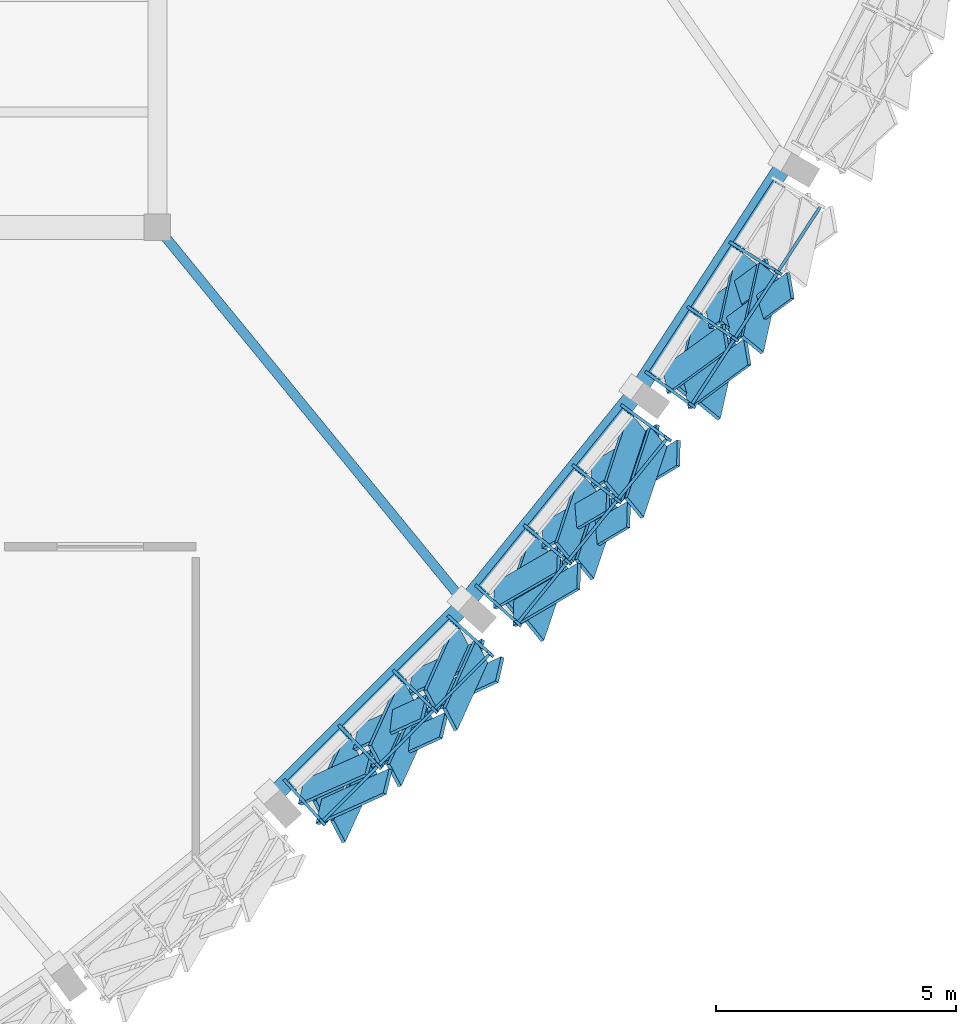
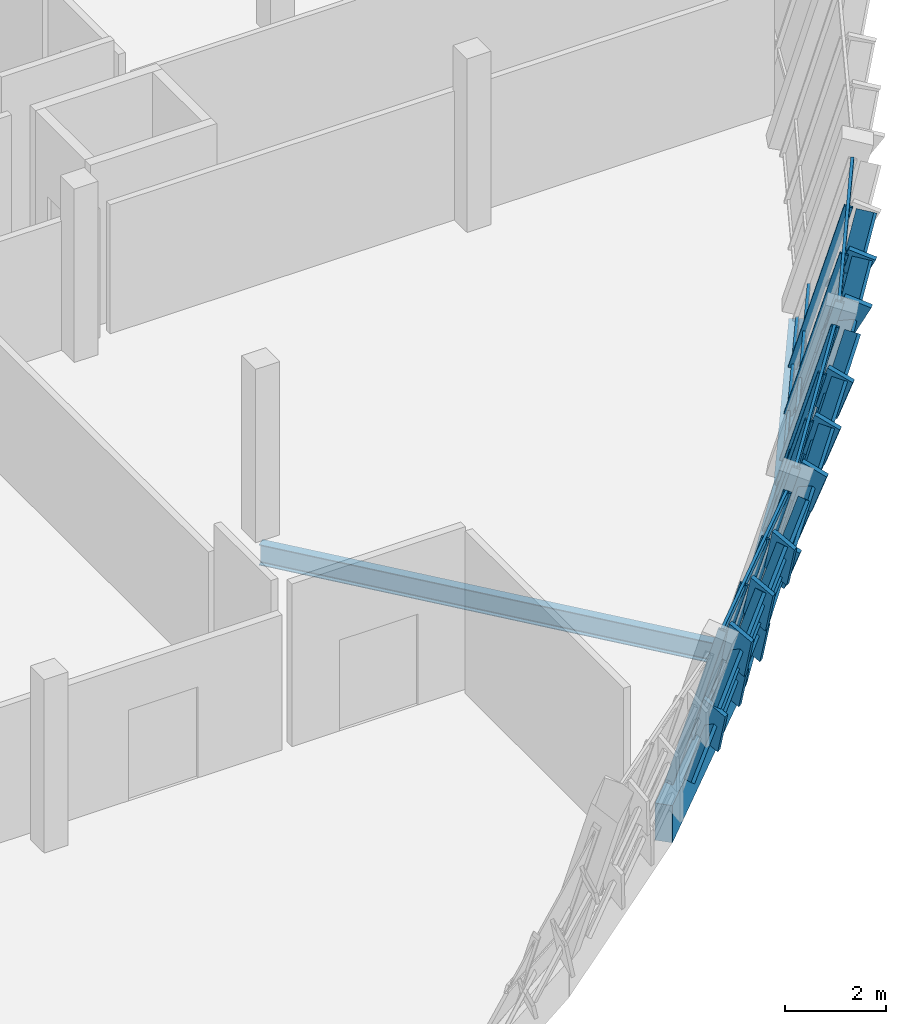
# One storey, part 54 of 94: 52 members, 4 beams, 3 elements without a shape of their own.
"""IFC4 building model written with IfcOpenShell, lengths in metres."""

from ifc_helpers import new_model, si_unit, direction, frame, origin, origin_2d, place, context, subcontext, project, spatial, rectangle, hollow_rectangle, i_section, extrude, material, material_profile, profile_set, type_object, element, aggregate, save


model = new_model("IFC4")

# Units and contexts
model_context = context("Model", 3, precision=1e-05, world=origin(), true_north=direction((0.0, 1.0)))
body_context = subcontext(model_context, "Body", "Model", "MODEL_VIEW")
ifc_project = project(units=[si_unit("LENGTHUNIT", "METRE"), si_unit("AREAUNIT", "SQUARE_METRE"), si_unit("VOLUMEUNIT", "CUBIC_METRE"), si_unit("PLANEANGLEUNIT", "RADIAN"), si_unit("MASSUNIT", "GRAM", prefix="KILO")], contexts=[model_context])

# Site, building, storey
site_placement = place(None, origin())
site = spatial("IfcSite", under=ifc_project, at=site_placement, CompositionType="ELEMENT")
building_placement = place(site_placement, origin())
building = spatial("IfcBuilding", under=site, at=building_placement, Name="Chiffa Square Polytechnic", CompositionType="ELEMENT")
storey_placement = place(building_placement, frame((0.0, 0.0, 18.0)))
storey = spatial("IfcBuildingStorey", under=building, at=storey_placement, Name="L04", CompositionType="ELEMENT", Elevation=18.0)

# Beam
ifc_material_1 = material(Name="Steel S355", Category="steel")
ifc_material_profile_1 = material_profile(ifc_material_1, i_section(OverallWidth=0.199951171875, OverallDepth=0.5, WebThickness=0.01025390625, FlangeThickness=0.01611328125, FilletRadius=0.02099609375, at=origin_2d()), Name="IPE 500")
ifc_profile_set_1 = profile_set([ifc_material_profile_1], Name="Steel S355")
beam_type_1 = type_object("IfcBeamType", Name="BM-STL-IPE500", PredefinedType="BEAM", material=ifc_profile_set_1)
beam_1_placement = place(storey_placement, frame((163.610107421875, 20.965087890625, -0.489990234375), z_axis=(-0.633222030351, 0.773970193404, 0.0), x_axis=(-0.773970193404, -0.633222030351, 0.0)))
element("IfcBeam", 1, at=beam_1_placement, inside=storey, type_object=beam_type_1, Name="Prow radial tie girder BM-V1-RAD-L04-11", PredefinedType="BEAM", context=body_context, shape_type="SweptSolid", body=[
    extrude(i_section(OverallWidth=0.199951171875, OverallDepth=0.5, WebThickness=0.01025390625, FlangeThickness=0.01611328125, FilletRadius=0.02099609375, at=origin_2d()), origin(), (0.0, 0.0, 1.0), 10.123046875),
])

# Curtain wall, members
ifc_material_2 = material(Name="Aluminium EN AW-6060 T66 and glulam shading", Category="wood")
curtain_wall_type_1 = type_object("IfcCurtainWallType", Name="CW-PROW-LEAN-300", PredefinedType="USERDEFINED", material=ifc_material_2)
curtain_wall_1_placement = place(storey_placement, origin())
curtain_wall_1 = element("IfcCurtainWall", 2, at=curtain_wall_1_placement, inside=storey, type_object=curtain_wall_type_1, Name="Outward-leaning diamond-fin prow curtain wall CW-V1-L04-070", ObjectType="CURTAIN WALL", PredefinedType="USERDEFINED")
ifc_material_3 = material(Name="Aluminium EN AW-6060 T66", Category="aluminium")
ifc_material_profile_2 = material_profile(ifc_material_3, hollow_rectangle(XDim=0.06494140625, YDim=0.179931640625, WallThickness=0.00390625, at=origin_2d()), Name="ALU 65x180x4")
ifc_profile_set_2 = profile_set([ifc_material_profile_2], Name="Aluminium EN AW-6060 T66")
member_type_1 = type_object("IfcMemberType", Name="CWM-ALU-75X180", PredefinedType="MULLION", material=ifc_profile_set_2)
member_1_placement = place(storey_placement, frame((159.888916015625, 17.243896484375, 0.0), z_axis=(0.182217162782, -0.202191884487, 0.962244951889), x_axis=(0.742847379704, 0.669460805773, 0.0)))
member_1 = element("IfcMember", 3, at=member_1_placement, type_object=member_type_1, Name="Leaning prow mullion CW-V1-L04-070-M00", PredefinedType="MULLION", context=body_context, shape_type="SweptSolid", body=[
    extrude(hollow_rectangle(XDim=0.06494140625, YDim=0.179931640625, WallThickness=0.00390625, at=origin_2d()), origin(), (0.0, 0.0, 1.0), 4.094482421875),
])
member_2_placement = place(storey_placement, frame((161.028076171875, 18.383056640625, 0.0), z_axis=(0.188852347584, -0.195590685215, 0.96233002378), x_axis=(0.719390123041, 0.694606255997, 0.0)))
member_2 = element("IfcMember", 4, at=member_2_placement, type_object=member_type_1, Name="Leaning prow mullion CW-V1-L04-070-M01", PredefinedType="MULLION", context=body_context, shape_type="SweptSolid", body=[
    extrude(hollow_rectangle(XDim=0.06494140625, YDim=0.179931640625, WallThickness=0.00390625, at=origin_2d()), origin(), (0.0, 0.0, 1.0), 4.09423828125),
])
member_3_placement = place(storey_placement, frame((162.1669921875, 19.52197265625, 0.0), z_axis=(0.195590685215, -0.188852347584, 0.96233002378), x_axis=(0.694606255997, 0.719390123041, 0.0)))
member_3 = element("IfcMember", 5, at=member_3_placement, type_object=member_type_1, Name="Leaning prow mullion CW-V1-L04-070-M02", PredefinedType="MULLION", context=body_context, shape_type="SweptSolid", body=[
    extrude(hollow_rectangle(XDim=0.06494140625, YDim=0.179931640625, WallThickness=0.00390625, at=origin_2d()), origin(), (0.0, 0.0, 1.0), 4.09423828125),
])
member_4_placement = place(storey_placement, frame((163.305908203125, 20.660888671875, 0.0), z_axis=(0.202251268919, -0.182157319148, 0.962243802423), x_axis=(0.669230950529, 0.743054462912, 0.0)))
member_4 = element("IfcMember", 6, at=member_4_placement, type_object=member_type_1, Name="Leaning prow mullion CW-V1-L04-070-M03", PredefinedType="MULLION", context=body_context, shape_type="SweptSolid", body=[
    extrude(hollow_rectangle(XDim=0.06494140625, YDim=0.179931640625, WallThickness=0.00390625, at=origin_2d()), origin(), (0.0, 0.0, 1.0), 4.094482421875),
])

curtain_wall_type_2 = type_object("IfcCurtainWallType", Name="CW-PROW-LEAN-150", PredefinedType="USERDEFINED", material=ifc_material_2)
curtain_wall_2_placement = place(storey_placement, origin())
curtain_wall_2 = element("IfcCurtainWall", 7, at=curtain_wall_2_placement, inside=storey, type_object=curtain_wall_type_2, Name="Outward-leaning diamond-fin prow curtain wall CW-V1-L04-071", ObjectType="CURTAIN WALL", PredefinedType="USERDEFINED")
member_5_placement = place(storey_placement, frame((163.881103515625, 21.299072265625, 0.0), z_axis=(0.202191884487, -0.182217162782, 0.962244951889), x_axis=(0.669460805773, 0.742847379704, 0.0)))
member_5 = element("IfcMember", 8, at=member_5_placement, type_object=member_type_1, Name="Leaning prow mullion CW-V1-L04-071-M00", PredefinedType="MULLION", context=body_context, shape_type="SweptSolid", body=[
    extrude(hollow_rectangle(XDim=0.06494140625, YDim=0.179931640625, WallThickness=0.00390625, at=origin_2d()), origin(), (0.0, 0.0, 1.0), 4.094482421875),
])
member_6_placement = place(storey_placement, frame((164.894287109375, 22.55078125, 0.0), z_axis=(0.208288678382, -0.17483607358, 0.962313968429), x_axis=(0.642919492467, 0.765933760978, 0.0)))
member_6 = element("IfcMember", 9, at=member_6_placement, type_object=member_type_1, Name="Leaning prow mullion CW-V1-L04-071-M01", PredefinedType="MULLION", context=body_context, shape_type="SweptSolid", body=[
    extrude(hollow_rectangle(XDim=0.06494140625, YDim=0.179931640625, WallThickness=0.00390625, at=origin_2d()), origin(), (0.0, 0.0, 1.0), 4.09423828125),
])
member_7_placement = place(storey_placement, frame((165.90771484375, 23.80224609375, 0.0), z_axis=(0.214255052151, -0.167384896017, 0.962328981801), x_axis=(0.615639785846, 0.788027698805, 0.0)))
member_7 = element("IfcMember", 10, at=member_7_placement, type_object=member_type_1, Name="Leaning prow mullion CW-V1-L04-071-M02", PredefinedType="MULLION", context=body_context, shape_type="SweptSolid", body=[
    extrude(hollow_rectangle(XDim=0.06494140625, YDim=0.179931640625, WallThickness=0.00390625, at=origin_2d()), origin(), (0.0, 0.0, 1.0), 4.09423828125),
])
member_8_placement = place(storey_placement, frame((166.9208984375, 25.053955078125, 0.0), z_axis=(0.220312913271, -0.159972813615, 0.962221865866), x_axis=(0.587559531247, 0.809180942213, 0.0)))
member_8 = element("IfcMember", 11, at=member_8_placement, type_object=member_type_1, Name="Leaning prow mullion CW-V1-L04-071-M03", PredefinedType="MULLION", context=body_context, shape_type="SweptSolid", body=[
    extrude(hollow_rectangle(XDim=0.06494140625, YDim=0.179931640625, WallThickness=0.00390625, at=origin_2d()), origin(), (0.0, 0.0, 1.0), 4.0947265625),
])

curtain_wall_3_placement = place(storey_placement, origin())
curtain_wall_3 = element("IfcCurtainWall", 12, at=curtain_wall_3_placement, inside=storey, type_object=curtain_wall_type_1, Name="Outward-leaning diamond-fin prow curtain wall CW-V1-L04-072", ObjectType="CURTAIN WALL", PredefinedType="USERDEFINED")
member_9_placement = place(storey_placement, frame((167.426025390625, 25.7490234375, 0.0), z_axis=(0.220256181595, -0.159974914786, 0.962234504218), x_axis=(0.587663663531, 0.809105319823, 0.0)))
member_9 = element("IfcMember", 13, at=member_9_placement, type_object=member_type_1, Name="Leaning prow mullion CW-V1-L04-072-M00", PredefinedType="MULLION", context=body_context, shape_type="SweptSolid", body=[
    extrude(hollow_rectangle(XDim=0.06494140625, YDim=0.179931640625, WallThickness=0.00390625, at=origin_2d()), origin(), (0.0, 0.0, 1.0), 4.094482421875),
])
member_10_placement = place(storey_placement, frame((168.30322265625, 27.099609375, 0.0), z_axis=(0.225461892253, -0.152057081525, 0.962312620254), x_axis=(0.559145173374, 0.829069764913, 0.0)))
member_10 = element("IfcMember", 14, at=member_10_placement, type_object=member_type_1, Name="Leaning prow mullion CW-V1-L04-072-M01", PredefinedType="MULLION", context=body_context, shape_type="SweptSolid", body=[
    extrude(hollow_rectangle(XDim=0.06494140625, YDim=0.179931640625, WallThickness=0.00390625, at=origin_2d()), origin(), (0.0, 0.0, 1.0), 4.09423828125),
])
member_11_placement = place(storey_placement, frame((169.1806640625, 28.4501953125, 0.0), z_axis=(0.230591273795, -0.144126999938, 0.962317552754), x_axis=(0.530018651124, 0.847985984236, 0.0)))
member_11 = element("IfcMember", 15, at=member_11_placement, type_object=member_type_1, Name="Leaning prow mullion CW-V1-L04-072-M02", PredefinedType="MULLION", context=body_context, shape_type="SweptSolid", body=[
    extrude(hollow_rectangle(XDim=0.06494140625, YDim=0.179931640625, WallThickness=0.00390625, at=origin_2d()), origin(), (0.0, 0.0, 1.0), 4.09423828125),
])

# Member
ifc_material_4 = material(Name="Glulam GL28h", Category="wood")
ifc_material_profile_3 = material_profile(ifc_material_4, rectangle(XDim=0.080078125, YDim=0.580078125, at=origin_2d()), Name="GL28h 80x580")
ifc_profile_set_3 = profile_set([ifc_material_profile_3], Name="Glulam GL28h")
member_type_2 = type_object("IfcMemberType", Name="CWM-GL-80X580", PredefinedType="MULLION", material=ifc_profile_set_3)
member_12_placement = place(storey_placement, frame((160.22412109375, 17.032958984375, 0.0400390625), z_axis=(0.565976705526, 0.252560031373, 0.784782644657), x_axis=(-0.794908987714, 0.419596950571, 0.438244338609)))
member_12 = element("IfcMember", 16, at=member_12_placement, type_object=member_type_2, Name="Diamond glulam fin CW-V1-L04-070-DF01A", PredefinedType="MULLION", context=body_context, shape_type="SweptSolid", body=[
    extrude(rectangle(XDim=0.080078125, YDim=0.580078125, at=origin_2d()), origin(), (0.0, 0.0, 1.0), 2.459228515625),
])

member_13_placement = place(storey_placement, frame((161.238037109375, 18.047119140625, 0.0400390625), z_axis=(-0.260729679383, -0.571932689152, 0.777761553028), x_axis=(0.871530147602, 0.207103159091, 0.444458640726)))
member_13 = element("IfcMember", 17, at=member_13_placement, type_object=member_type_2, Name="Diamond glulam fin CW-V1-L04-070-DF01B", PredefinedType="MULLION", context=body_context, shape_type="SweptSolid", body=[
    extrude(rectangle(XDim=0.080078125, YDim=0.580078125, at=origin_2d()), origin(), (0.0, 0.0, 1.0), 2.4814453125),
])

member_14_placement = place(storey_placement, frame((160.591064453125, 16.6279296875, 1.969970703125), z_axis=(0.568300661799, 0.256457294821, 0.781833750699), x_axis=(-0.794759206928, 0.417120857629, 0.440871855684)))
member_14 = element("IfcMember", 18, at=member_14_placement, type_object=member_type_2, Name="Diamond glulam fin CW-V1-L04-070-DF02A", PredefinedType="MULLION", context=body_context, shape_type="SweptSolid", body=[
    extrude(rectangle(XDim=0.080078125, YDim=0.580078125, at=origin_2d()), origin(), (0.0, 0.0, 1.0), 2.468505859375),
])

member_15_placement = place(storey_placement, frame((161.615966796875, 17.654052734375, 1.969970703125), z_axis=(-0.264484996981, -0.574439070878, 0.774640200494), x_axis=(0.87137946497, 0.201820584032, 0.447175893681)))
member_15 = element("IfcMember", 19, at=member_15_placement, type_object=member_type_2, Name="Diamond glulam fin CW-V1-L04-070-DF02B", PredefinedType="MULLION", context=body_context, shape_type="SweptSolid", body=[
    extrude(rectangle(XDim=0.080078125, YDim=0.580078125, at=origin_2d()), origin(), (0.0, 0.0, 1.0), 2.491455078125),
])

member_16_placement = place(storey_placement, frame((161.364013671875, 18.172119140625, 0.0400390625), z_axis=(0.568801838509, 0.256973897502, 0.78129948452), x_axis=(-0.794591773976, 0.416939270141, 0.441345168484)))
member_16 = element("IfcMember", 20, at=member_16_placement, type_object=member_type_2, Name="Diamond glulam fin CW-V1-L04-070-DF03A", PredefinedType="MULLION", context=body_context, shape_type="SweptSolid", body=[
    extrude(rectangle(XDim=0.080078125, YDim=0.580078125, at=origin_2d()), origin(), (0.0, 0.0, 1.0), 2.47021484375),
])

member_17_placement = place(storey_placement, frame((162.3779296875, 19.18603515625, 0.0400390625), z_axis=(-0.257066203399, -0.568787389681, 0.78127963778), x_axis=(0.871876938206, 0.212201651336, 0.441362734941)))
member_17 = element("IfcMember", 21, at=member_17_placement, type_object=member_type_2, Name="Diamond glulam fin CW-V1-L04-070-DF03B", PredefinedType="MULLION", context=body_context, shape_type="SweptSolid", body=[
    extrude(rectangle(XDim=0.080078125, YDim=0.580078125, at=origin_2d()), origin(), (0.0, 0.0, 1.0), 2.47021484375),
])

member_18_placement = place(storey_placement, frame((161.742919921875, 17.781005859375, 1.969970703125), z_axis=(0.571660175063, 0.260436092152, 0.778060207279), x_axis=(-0.793816483452, 0.41538444082, 0.444197204994)))
member_18 = element("IfcMember", 22, at=member_18_placement, type_object=member_type_2, Name="Diamond glulam fin CW-V1-L04-070-DF04A", PredefinedType="MULLION", context=body_context, shape_type="SweptSolid", body=[
    extrude(rectangle(XDim=0.080078125, YDim=0.580078125, at=origin_2d()), origin(), (0.0, 0.0, 1.0), 2.48046875),
])

member_19_placement = place(storey_placement, frame((162.76904296875, 18.806884765625, 1.969970703125), z_axis=(-0.260436092152, -0.571660175063, 0.778060207279), x_axis=(0.871566869626, 0.207509119912, 0.444197204994)))
member_19 = element("IfcMember", 23, at=member_19_placement, type_object=member_type_2, Name="Diamond glulam fin CW-V1-L04-070-DF04B", PredefinedType="MULLION", context=body_context, shape_type="SweptSolid", body=[
    extrude(rectangle(XDim=0.080078125, YDim=0.580078125, at=origin_2d()), origin(), (0.0, 0.0, 1.0), 2.48046875),
])

member_20_placement = place(storey_placement, frame((162.5029296875, 19.31201171875, 0.0400390625), z_axis=(0.571932689152, 0.260729679383, 0.777761553028), x_axis=(-0.793726200004, 0.415277300259, 0.444458640726)))
member_20 = element("IfcMember", 24, at=member_20_placement, type_object=member_type_2, Name="Diamond glulam fin CW-V1-L04-070-DF05A", PredefinedType="MULLION", context=body_context, shape_type="SweptSolid", body=[
    extrude(rectangle(XDim=0.080078125, YDim=0.580078125, at=origin_2d()), origin(), (0.0, 0.0, 1.0), 2.4814453125),
])

member_21_placement = place(storey_placement, frame((163.51708984375, 20.325927734375, 0.0400390625), z_axis=(-0.252560031373, -0.565976705526, 0.784782644657), x_axis=(0.871866864621, 0.218609400651, 0.438244338609)))
member_21 = element("IfcMember", 25, at=member_21_placement, type_object=member_type_2, Name="Diamond glulam fin CW-V1-L04-070-DF05B", PredefinedType="MULLION", context=body_context, shape_type="SweptSolid", body=[
    extrude(rectangle(XDim=0.080078125, YDim=0.580078125, at=origin_2d()), origin(), (0.0, 0.0, 1.0), 2.459228515625),
])

member_22_placement = place(storey_placement, frame((162.89599609375, 18.93408203125, 1.969970703125), z_axis=(0.574373407619, 0.264499885201, 0.774683806045), x_axis=(-0.793331665855, 0.413149328483, 0.447138122201)))
member_22 = element("IfcMember", 26, at=member_22_placement, type_object=member_type_2, Name="Diamond glulam fin CW-V1-L04-070-DF06A", PredefinedType="MULLION", context=body_context, shape_type="SweptSolid", body=[
    extrude(rectangle(XDim=0.080078125, YDim=0.580078125, at=origin_2d()), origin(), (0.0, 0.0, 1.0), 2.4912109375),
])

member_23_placement = place(storey_placement, frame((163.922119140625, 19.958984375, 1.969970703125), z_axis=(-0.256442880077, -0.568367617356, 0.781789806021), x_axis=(0.871890658043, 0.213082920049, 0.440910818194)))
member_23 = element("IfcMember", 27, at=member_23_placement, type_object=member_type_2, Name="Diamond glulam fin CW-V1-L04-070-DF06B", PredefinedType="MULLION", context=body_context, shape_type="SweptSolid", body=[
    extrude(rectangle(XDim=0.080078125, YDim=0.580078125, at=origin_2d()), origin(), (0.0, 0.0, 1.0), 2.468505859375),
])

member_24_placement = place(storey_placement, frame((164.237060546875, 21.1240234375, 0.0400390625), z_axis=(0.536361971692, 0.310279741121, 0.784883633141), x_axis=(-0.843113634496, 0.239302972475, 0.481553202348)))
member_24 = element("IfcMember", 28, at=member_24_placement, type_object=member_type_2, Name="Diamond glulam fin CW-V1-L04-071-DF01A", PredefinedType="MULLION", context=body_context, shape_type="SweptSolid", body=[
    extrude(rectangle(XDim=0.080078125, YDim=0.580078125, at=origin_2d()), origin(), (0.0, 0.0, 1.0), 2.458984375),
])

member_25_placement = place(storey_placement, frame((165.138916015625, 22.239013671875, 0.0400390625), z_axis=(-0.199816662788, -0.596006569753, 0.77772068899), x_axis=(0.788801924827, 0.373012132551, 0.488521721482)))
member_25 = element("IfcMember", 29, at=member_25_placement, type_object=member_type_2, Name="Diamond glulam fin CW-V1-L04-071-DF01B", PredefinedType="MULLION", context=body_context, shape_type="SweptSolid", body=[
    extrude(rectangle(XDim=0.080078125, YDim=0.580078125, at=origin_2d()), origin(), (0.0, 0.0, 1.0), 2.4814453125),
])

member_26_placement = place(storey_placement, frame((164.64306640625, 20.760009765625, 1.969970703125), z_axis=(0.538651195538, 0.314270882948, 0.781721626717), x_axis=(-0.841871162533, 0.237418815024, 0.484649617732)))
member_26 = element("IfcMember", 30, at=member_26_placement, type_object=member_type_2, Name="Diamond glulam fin CW-V1-L04-071-DF02A", PredefinedType="MULLION", context=body_context, shape_type="SweptSolid", body=[
    extrude(rectangle(XDim=0.080078125, YDim=0.580078125, at=origin_2d()), origin(), (0.0, 0.0, 1.0), 2.46875),
])

member_27_placement = place(storey_placement, frame((165.555908203125, 21.886962890625, 1.969970703125), z_axis=(-0.203428619903, -0.598820951941, 0.774616204401), x_axis=(0.789511777295, 0.367569168376, 0.491491668262)))
member_27 = element("IfcMember", 31, at=member_27_placement, type_object=member_type_2, Name="Diamond glulam fin CW-V1-L04-071-DF02B", PredefinedType="MULLION", context=body_context, shape_type="SweptSolid", body=[
    extrude(rectangle(XDim=0.080078125, YDim=0.580078125, at=origin_2d()), origin(), (0.0, 0.0, 1.0), 2.491455078125),
])

member_28_placement = place(storey_placement, frame((165.25, 22.3759765625, 0.0400390625), z_axis=(0.538851211231, 0.314988776631, 0.781294722081), x_axis=(-0.841781972617, 0.236885760823, 0.485065198604)))
member_28 = element("IfcMember", 32, at=member_28_placement, type_object=member_type_2, Name="Diamond glulam fin CW-V1-L04-071-DF03A", PredefinedType="MULLION", context=body_context, shape_type="SweptSolid", body=[
    extrude(rectangle(XDim=0.080078125, YDim=0.580078125, at=origin_2d()), origin(), (0.0, 0.0, 1.0), 2.47021484375),
])

member_29_placement = place(storey_placement, frame((166.152099609375, 23.490966796875, 0.0400390625), z_axis=(-0.195607722877, -0.59265482889, 0.781343632817), x_axis=(0.787927378364, 0.379378913157, 0.48501761481)))
member_29 = element("IfcMember", 33, at=member_29_placement, type_object=member_type_2, Name="Diamond glulam fin CW-V1-L04-071-DF03B", PredefinedType="MULLION", context=body_context, shape_type="SweptSolid", body=[
    extrude(rectangle(XDim=0.080078125, YDim=0.580078125, at=origin_2d()), origin(), (0.0, 0.0, 1.0), 2.469970703125),
])

member_30_placement = place(storey_placement, frame((165.6689453125, 22.027099609375, 1.969970703125), z_axis=(0.540822334517, 0.318999520086, 0.778299755025), x_axis=(-0.840701737021, 0.234757970118, 0.487964429889)))
member_30 = element("IfcMember", 34, at=member_30_placement, type_object=member_type_2, Name="Diamond glulam fin CW-V1-L04-071-DF04A", PredefinedType="MULLION", context=body_context, shape_type="SweptSolid", body=[
    extrude(rectangle(XDim=0.080078125, YDim=0.580078125, at=origin_2d()), origin(), (0.0, 0.0, 1.0), 2.479736328125),
])

member_31_placement = place(storey_placement, frame((166.5810546875, 23.154052734375, 1.969970703125), z_axis=(-0.199248792495, -0.595580629741, 0.778192541835), x_axis=(0.788678728659, 0.373866008194, 0.488067690877)))
member_31 = element("IfcMember", 35, at=member_31_placement, type_object=member_type_2, Name="Diamond glulam fin CW-V1-L04-071-DF04B", PredefinedType="MULLION", context=body_context, shape_type="SweptSolid", body=[
    extrude(rectangle(XDim=0.080078125, YDim=0.580078125, at=origin_2d()), origin(), (0.0, 0.0, 1.0), 2.47998046875),
])

member_32_placement = place(storey_placement, frame((166.263916015625, 23.6279296875, 0.0400390625), z_axis=(0.541243223824, 0.319570621884, 0.777772711204), x_axis=(-0.840452814339, 0.234594259828, 0.488471698388)))
member_32 = element("IfcMember", 36, at=member_32_placement, type_object=member_type_2, Name="Diamond glulam fin CW-V1-L04-071-DF05A", PredefinedType="MULLION", context=body_context, shape_type="SweptSolid", body=[
    extrude(rectangle(XDim=0.080078125, YDim=0.580078125, at=origin_2d()), origin(), (0.0, 0.0, 1.0), 2.4814453125),
])

member_33_placement = place(storey_placement, frame((167.166015625, 24.742919921875, 0.0400390625), z_axis=(-0.191868971862, -0.589503271541, 0.784647813021), x_axis=(0.787147173272, 0.385074409039, 0.481785249996)))
member_33 = element("IfcMember", 37, at=member_33_placement, type_object=member_type_2, Name="Diamond glulam fin CW-V1-L04-071-DF05B", PredefinedType="MULLION", context=body_context, shape_type="SweptSolid", body=[
    extrude(rectangle(XDim=0.080078125, YDim=0.580078125, at=origin_2d()), origin(), (0.0, 0.0, 1.0), 2.459716796875),
])

member_34_placement = place(storey_placement, frame((166.694091796875, 23.29296875, 1.969970703125), z_axis=(0.543437381265, 0.323553954731, 0.774589343473), x_axis=(-0.839179976087, 0.232782678241, 0.491517235146)))
member_34 = element("IfcMember", 38, at=member_34_placement, type_object=member_type_2, Name="Diamond glulam fin CW-V1-L04-071-DF06A", PredefinedType="MULLION", context=body_context, shape_type="SweptSolid", body=[
    extrude(rectangle(XDim=0.080078125, YDim=0.580078125, at=origin_2d()), origin(), (0.0, 0.0, 1.0), 2.491455078125),
])

member_35_placement = place(storey_placement, frame((167.60693359375, 24.4208984375, 1.969970703125), z_axis=(-0.195223821298, -0.592198704121, 0.781785363406), x_axis=(0.787899982787, 0.379984935257, 0.484587521612)))
member_35 = element("IfcMember", 39, at=member_35_placement, type_object=member_type_2, Name="Diamond glulam fin CW-V1-L04-071-DF06B", PredefinedType="MULLION", context=body_context, shape_type="SweptSolid", body=[
    extrude(rectangle(XDim=0.080078125, YDim=0.580078125, at=origin_2d()), origin(), (0.0, 0.0, 1.0), 2.468505859375),
])

member_36_placement = place(storey_placement, frame((167.798095703125, 25.612060546875, 0.0400390625), z_axis=(0.50098239934, 0.364766019654, 0.784832712403), x_axis=(-0.852693142306, 0.052863157479, 0.519730595256)))
member_36 = element("IfcMember", 40, at=member_36_placement, type_object=member_type_2, Name="Diamond glulam fin CW-V1-L04-072-DF01A", PredefinedType="MULLION", context=body_context, shape_type="SweptSolid", body=[
    extrude(rectangle(XDim=0.080078125, YDim=0.580078125, at=origin_2d()), origin(), (0.0, 0.0, 1.0), 2.458984375),
])

member_37_placement = place(storey_placement, frame((168.5791015625, 26.81494140625, 0.0400390625), z_axis=(-0.136642862248, -0.613663192731, 0.777654302427), x_axis=(0.673370654606, 0.518230614238, 0.527265580122)))
member_37 = element("IfcMember", 41, at=member_37_placement, type_object=member_type_2, Name="Diamond glulam fin CW-V1-L04-072-DF01B", PredefinedType="MULLION", context=body_context, shape_type="SweptSolid", body=[
    extrude(rectangle(XDim=0.080078125, YDim=0.580078125, at=origin_2d()), origin(), (0.0, 0.0, 1.0), 2.481689453125),
])

member_38_placement = place(storey_placement, frame((168.239990234375, 25.2919921875, 1.969970703125), z_axis=(0.502981037692, 0.368905494717, 0.78161295517), x_axis=(-0.850694448296, 0.051493429427, 0.523132279986)))
member_38 = element("IfcMember", 42, at=member_38_placement, type_object=member_type_2, Name="Diamond glulam fin CW-V1-L04-072-DF02A", PredefinedType="MULLION", context=body_context, shape_type="SweptSolid", body=[
    extrude(rectangle(XDim=0.080078125, YDim=0.580078125, at=origin_2d()), origin(), (0.0, 0.0, 1.0), 2.46923828125),
])

member_39_placement = place(storey_placement, frame((169.030029296875, 26.509033203125, 1.969970703125), z_axis=(-0.139241552455, -0.61693512615, 0.774598502575), x_axis=(0.674299372763, 0.513784998786, 0.530419957123)))
member_39 = element("IfcMember", 43, at=member_39_placement, type_object=member_type_2, Name="Diamond glulam fin CW-V1-L04-072-DF02B", PredefinedType="MULLION", context=body_context, shape_type="SweptSolid", body=[
    extrude(rectangle(XDim=0.080078125, YDim=0.580078125, at=origin_2d()), origin(), (0.0, 0.0, 1.0), 2.491455078125),
])

member_40_placement = place(storey_placement, frame((168.675048828125, 26.962890625, 0.0400390625), z_axis=(0.50311112556, 0.369600394734, 0.781200834325), x_axis=(-0.850455518436, 0.051039314955, 0.523565086202)))
member_40 = element("IfcMember", 44, at=member_40_placement, type_object=member_type_2, Name="Diamond glulam fin CW-V1-L04-072-DF03A", PredefinedType="MULLION", context=body_context, shape_type="SweptSolid", body=[
    extrude(rectangle(XDim=0.080078125, YDim=0.580078125, at=origin_2d()), origin(), (0.0, 0.0, 1.0), 2.470458984375),
])

member_41_placement = place(storey_placement, frame((169.4560546875, 28.166015625, 0.0400390625), z_axis=(-0.132814825152, -0.610019282487, 0.781176482758), x_axis=(0.671547362295, 0.524287116107, 0.523590641702)))
member_41 = element("IfcMember", 45, at=member_41_placement, type_object=member_type_2, Name="Diamond glulam fin CW-V1-L04-072-DF03B", PredefinedType="MULLION", context=body_context, shape_type="SweptSolid", body=[
    extrude(rectangle(XDim=0.080078125, YDim=0.580078125, at=origin_2d()), origin(), (0.0, 0.0, 1.0), 2.470458984375),
])

member_42_placement = place(storey_placement, frame((169.1279296875, 26.658935546875, 1.969970703125), z_axis=(0.504780604393, 0.373762081685, 0.778137807669), x_axis=(-0.84857718466, 0.049364633143, 0.526763604161)))
member_42 = element("IfcMember", 46, at=member_42_placement, type_object=member_type_2, Name="Diamond glulam fin CW-V1-L04-072-DF04A", PredefinedType="MULLION", context=body_context, shape_type="SweptSolid", body=[
    extrude(rectangle(XDim=0.080078125, YDim=0.580078125, at=origin_2d()), origin(), (0.0, 0.0, 1.0), 2.480224609375),
])

member_43_placement = place(storey_placement, frame((169.91796875, 27.8759765625, 1.969970703125), z_axis=(-0.135839454688, -0.613246233846, 0.778123832834), x_axis=(0.672883160587, 0.519358315928, 0.526778123952)))
member_43 = element("IfcMember", 47, at=member_43_placement, type_object=member_type_2, Name="Diamond glulam fin CW-V1-L04-072-DF04B", PredefinedType="MULLION", context=body_context, shape_type="SweptSolid", body=[
    extrude(rectangle(XDim=0.080078125, YDim=0.580078125, at=origin_2d()), origin(), (0.0, 0.0, 1.0), 2.480224609375),
])

ifc_material_profile_4 = material_profile(ifc_material_3, hollow_rectangle(XDim=0.06494140625, YDim=0.139892578125, WallThickness=0.00390625, at=origin_2d()), Name="ALU 65x140x4")
ifc_profile_set_4 = profile_set([ifc_material_profile_4], Name="Aluminium EN AW-6060 T66")
member_type_3 = type_object("IfcMemberType", Name="CWT-ALU-75X140", PredefinedType="USERDEFINED", material=ifc_profile_set_4)
member_44_placement = place(storey_placement, frame((159.896484375, 17.235595703125, 0.0400390625), z_axis=(0.707132035451, 0.70708152602, 0.0), x_axis=(-0.70708152602, 0.707132035451, 0.0)))
member_44 = element("IfcMember", 48, at=member_44_placement, type_object=member_type_3, Name="Leaning prow transom CW-V1-L04-070-T01", ObjectType="TRANSOM", PredefinedType="USERDEFINED", context=body_context, shape_type="SweptSolid", body=[
    extrude(hollow_rectangle(XDim=0.06494140625, YDim=0.139892578125, WallThickness=0.00390625, at=origin_2d()), origin(), (0.0, 0.0, 1.0), 4.83349609375),
])

member_45_placement = place(storey_placement, frame((160.0498046875, 17.0654296875, 0.85009765625), z_axis=(0.707131911592, 0.707081649888, 0.0), x_axis=(-0.707081649888, 0.707131911592, 0.0)))
member_45 = element("IfcMember", 49, at=member_45_placement, type_object=member_type_3, Name="Leaning prow transom CW-V1-L04-070-T02", ObjectType="TRANSOM", PredefinedType="USERDEFINED", context=body_context, shape_type="SweptSolid", body=[
    extrude(hollow_rectangle(XDim=0.06494140625, YDim=0.139892578125, WallThickness=0.00390625, at=origin_2d()), origin(), (0.0, 0.0, 1.0), 4.857421875),
])

member_46_placement = place(storey_placement, frame((160.62744140625, 16.42431640625, 3.89990234375), z_axis=(0.70708210592, 0.707131455592, 0.0), x_axis=(-0.707131455592, 0.70708210592, 0.0)))
member_46 = element("IfcMember", 50, at=member_46_placement, type_object=member_type_3, Name="Leaning prow transom CW-V1-L04-070-T03", ObjectType="TRANSOM", PredefinedType="USERDEFINED", context=body_context, shape_type="SweptSolid", body=[
    extrude(hollow_rectangle(XDim=0.06494140625, YDim=0.139892578125, WallThickness=0.00390625, at=origin_2d()), origin(), (0.0, 0.0, 1.0), 4.947265625),
])

aggregate(curtain_wall_1, [member_1, member_2, member_3, member_4, member_44, member_45, member_46, member_12, member_13, member_14, member_15, member_16, member_17, member_18, member_19, member_20, member_21, member_22, member_23])

member_47_placement = place(storey_placement, frame((163.889404296875, 21.29150390625, 0.0400390625), z_axis=(0.629237468051, 0.777213103853, 0.0), x_axis=(-0.777213103853, 0.629237468051, 0.0)))
member_47 = element("IfcMember", 51, at=member_47_placement, type_object=member_type_3, Name="Leaning prow transom CW-V1-L04-071-T01", ObjectType="TRANSOM", PredefinedType="USERDEFINED", context=body_context, shape_type="SweptSolid", body=[
    extrude(hollow_rectangle(XDim=0.06494140625, YDim=0.139892578125, WallThickness=0.00390625, at=origin_2d()), origin(), (0.0, 0.0, 1.0), 4.83251953125),
])

member_48_placement = place(storey_placement, frame((164.0595703125, 21.13818359375, 0.85009765625), z_axis=(0.629251735622, 0.777201552506, 0.0), x_axis=(-0.777201552506, 0.629251735622, 0.0)))
member_48 = element("IfcMember", 52, at=member_48_placement, type_object=member_type_3, Name="Leaning prow transom CW-V1-L04-071-T02", ObjectType="TRANSOM", PredefinedType="USERDEFINED", context=body_context, shape_type="SweptSolid", body=[
    extrude(hollow_rectangle(XDim=0.06494140625, YDim=0.139892578125, WallThickness=0.00390625, at=origin_2d()), origin(), (0.0, 0.0, 1.0), 4.8564453125),
])

member_49_placement = place(storey_placement, frame((164.70068359375, 20.560546875, 3.89990234375), z_axis=(0.629252173309, 0.777201198137, 0.0), x_axis=(-0.777201198137, 0.629252173309, 0.0)))
member_49 = element("IfcMember", 53, at=member_49_placement, type_object=member_type_3, Name="Leaning prow transom CW-V1-L04-071-T03", ObjectType="TRANSOM", PredefinedType="USERDEFINED", context=body_context, shape_type="SweptSolid", body=[
    extrude(hollow_rectangle(XDim=0.06494140625, YDim=0.139892578125, WallThickness=0.00390625, at=origin_2d()), origin(), (0.0, 0.0, 1.0), 4.947265625),
])

aggregate(curtain_wall_2, [member_5, member_6, member_7, member_8, member_47, member_48, member_49, member_24, member_25, member_26, member_27, member_28, member_29, member_30, member_31, member_32, member_33, member_34, member_35])

member_50_placement = place(storey_placement, frame((167.435302734375, 25.742431640625, 0.0400390625), z_axis=(0.54471665291, 0.838620157188, 0.0), x_axis=(-0.838620157188, 0.54471665291, 0.0)))
member_50 = element("IfcMember", 54, at=member_50_placement, type_object=member_type_3, Name="Leaning prow transom CW-V1-L04-072-T01", ObjectType="TRANSOM", PredefinedType="USERDEFINED", context=body_context, shape_type="SweptSolid", body=[
    extrude(hollow_rectangle(XDim=0.06494140625, YDim=0.139892578125, WallThickness=0.00390625, at=origin_2d()), origin(), (0.0, 0.0, 1.0), 4.8330078125),
])

member_51_placement = place(storey_placement, frame((167.62060546875, 25.607666015625, 0.85009765625), z_axis=(0.544707382887, 0.838626178359, 0.0), x_axis=(-0.838626178359, 0.544707382887, 0.0)))
member_51 = element("IfcMember", 55, at=member_51_placement, type_object=member_type_3, Name="Leaning prow transom CW-V1-L04-072-T02", ObjectType="TRANSOM", PredefinedType="USERDEFINED", context=body_context, shape_type="SweptSolid", body=[
    extrude(hollow_rectangle(XDim=0.06494140625, YDim=0.139892578125, WallThickness=0.00390625, at=origin_2d()), origin(), (0.0, 0.0, 1.0), 4.856689453125),
])

member_52_placement = place(storey_placement, frame((168.31884765625, 25.1005859375, 3.89990234375), z_axis=(0.54470553521, 0.838627378466, 0.0), x_axis=(-0.838627378466, 0.54470553521, 0.0)))
member_52 = element("IfcMember", 56, at=member_52_placement, type_object=member_type_3, Name="Leaning prow transom CW-V1-L04-072-T03", ObjectType="TRANSOM", PredefinedType="USERDEFINED", context=body_context, shape_type="SweptSolid", body=[
    extrude(hollow_rectangle(XDim=0.06494140625, YDim=0.139892578125, WallThickness=0.00390625, at=origin_2d()), origin(), (0.0, 0.0, 1.0), 4.9462890625),
])

aggregate(curtain_wall_3, [member_9, member_10, member_11, member_50, member_51, member_52, member_36, member_37, member_38, member_39, member_40, member_41, member_42, member_43])

# Beams
ifc_material_5 = material(Name="Glulam GL32c", Category="wood")
ifc_material_profile_5 = material_profile(ifc_material_5, rectangle(XDim=0.360107421875, YDim=0.89990234375, at=origin_2d()), Name="GL32c 360x900")
ifc_profile_set_5 = profile_set([ifc_material_profile_5], Name="Glulam GL32c")
beam_type_2 = type_object("IfcBeamType", Name="RB-GL-360X900", PredefinedType="SPANDREL", material=ifc_profile_set_5)
beam_2_placement = place(storey_placement, frame((159.5849609375, 16.93994140625, -0.68994140625), z_axis=(0.707106781187, 0.707106781187, 0.0), x_axis=(-0.707106781187, 0.707106781187, 0.0)))
element("IfcBeam", 57, at=beam_2_placement, inside=storey, type_object=beam_type_2, Name="Prow perimeter edge beam RB-V1-PROW-L04-10", PredefinedType="SPANDREL", context=body_context, shape_type="SweptSolid", body=[
    extrude(rectangle(XDim=0.360107421875, YDim=0.89990234375, at=origin_2d()), origin(), (0.0, 0.0, 1.0), 5.6923828125),
])
beam_3_placement = place(storey_placement, frame((163.610107421875, 20.965087890625, -0.68994140625), z_axis=(0.629345066951, 0.777125978658, 0.0), x_axis=(-0.777125978658, 0.629345066951, 0.0)))
element("IfcBeam", 58, at=beam_3_placement, inside=storey, type_object=beam_type_2, Name="Prow perimeter edge beam RB-V1-PROW-L04-11", PredefinedType="SPANDREL", context=body_context, shape_type="SweptSolid", body=[
    extrude(rectangle(XDim=0.360107421875, YDim=0.89990234375, at=origin_2d()), origin(), (0.0, 0.0, 1.0), 5.69140625),
])
beam_4_placement = place(storey_placement, frame((167.19189453125, 25.387939453125, -0.68994140625), z_axis=(0.544603875668, 0.838693399645, 0.0), x_axis=(-0.838693399645, 0.544603875668, 0.0)))
element("IfcBeam", 59, at=beam_4_placement, inside=storey, type_object=beam_type_2, Name="Prow perimeter edge beam RB-V1-PROW-L04-12", PredefinedType="SPANDREL", context=body_context, shape_type="SweptSolid", body=[
    extrude(rectangle(XDim=0.360107421875, YDim=0.89990234375, at=origin_2d()), origin(), (0.0, 0.0, 1.0), 5.6923828125),
])

save(model, "model.ifc")
